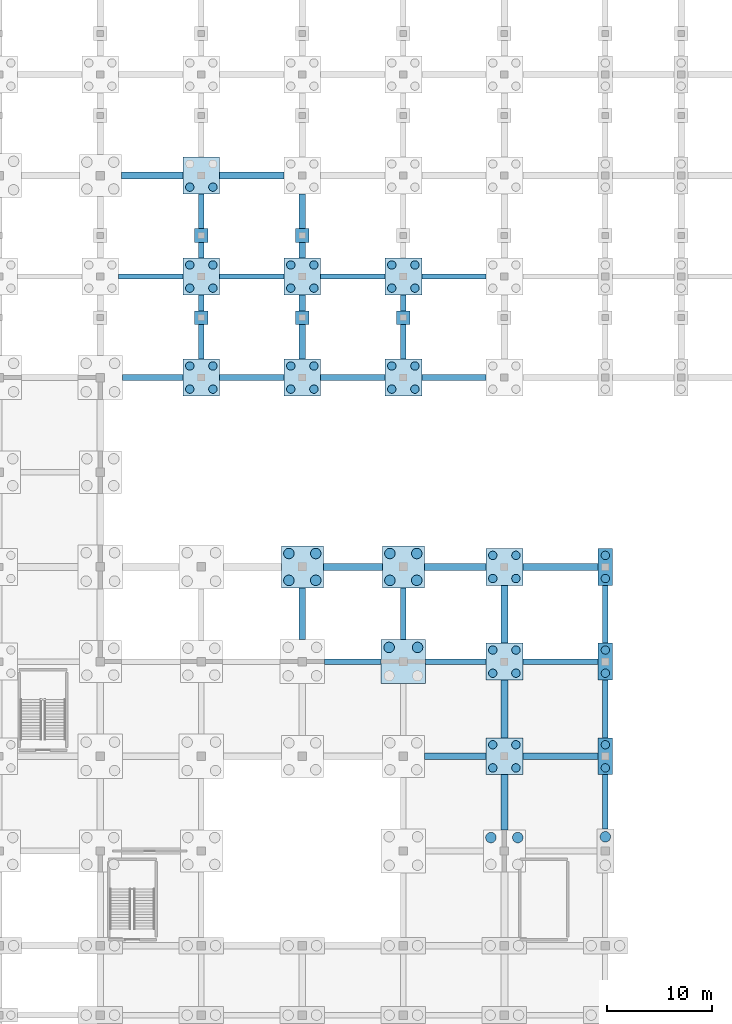
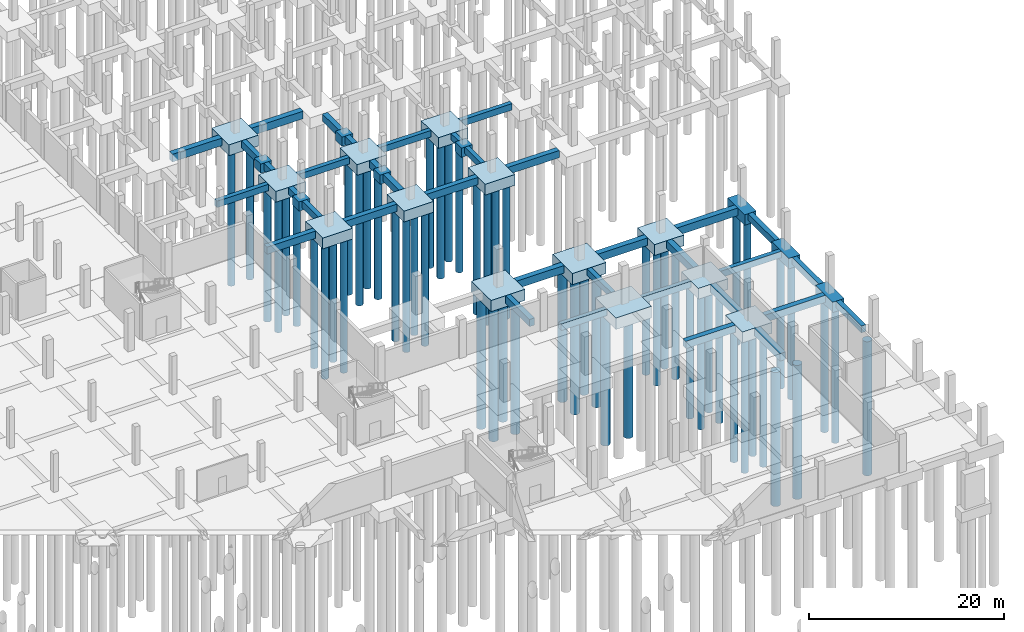
# One storey, part 13 of 39: 57 footings, 57 piles.
"""IFC4 building model written with IfcOpenShell, lengths in metres."""

from ifc_helpers import new_model, si_unit, direction, frame, origin, origin_2d, place, context, subcontext, project, spatial, polyline, rectangle, circle, outline, extrude, material, material_profile, profile_set, type_object, element, save


model = new_model("IFC4")

# Units and contexts
model_context = context("Model", 3, precision=1e-05, world=origin(), true_north=direction((0.0, 1.0)))
body_context = subcontext(model_context, "Body", "Model", "MODEL_VIEW")
ifc_project = project(units=[si_unit("LENGTHUNIT", "METRE"), si_unit("AREAUNIT", "SQUARE_METRE"), si_unit("VOLUMEUNIT", "CUBIC_METRE"), si_unit("PLANEANGLEUNIT", "RADIAN"), si_unit("MASSUNIT", "GRAM", prefix="KILO")], contexts=[model_context])

# Site, building, storey
site_placement = place(None, origin())
site = spatial("IfcSite", under=ifc_project, at=site_placement, CompositionType="ELEMENT")
building_placement = place(site_placement, origin())
building = spatial("IfcBuilding", under=site, at=building_placement, Name="Zarnetskaya Central Station", CompositionType="ELEMENT")
storey_placement = place(building_placement, frame((0.0, 0.0, -4.800048828125)))
storey = spatial("IfcBuildingStorey", under=building, at=storey_placement, Name="B1", CompositionType="ELEMENT", Elevation=-4.800048828125)

# Footings
ifc_material_1 = material(Name="Concrete C30/37", Category="concrete")
footing_type_1 = type_object("IfcFootingType", Name="FB-500x800", PredefinedType="FOOTING_BEAM", material=ifc_material_1)
footing_1_placement = place(storey_placement, frame((0.0, 0.0, -0.800048828125)))
element("IfcFooting", 1, at=footing_1_placement, inside=storey, type_object=footing_type_1, Name="Footing tie beam 6 R-S", PredefinedType="FOOTING_BEAM", context=body_context, shape_type="SweptSolid", body=[
    extrude(outline(polyline([(146.10009765625, 39.949951171875), (151.5, 39.949951171875), (151.5, 40.449951171875), (146.10009765625, 40.449951171875), (146.10009765625, 39.949951171875)])), origin(), (0.0, 0.0, 1.0), 0.800048828125),
])
footing_2_placement = place(storey_placement, frame((0.0, 0.0, -0.800048828125)))
element("IfcFooting", 2, at=footing_2_placement, inside=storey, type_object=footing_type_1, Name="Footing tie beam 6 S-T", PredefinedType="FOOTING_BEAM", context=body_context, shape_type="SweptSolid", body=[
    extrude(outline(polyline([(155.699951171875, 39.949951171875), (161.449951171875, 39.949951171875), (161.449951171875, 40.449951171875), (155.699951171875, 40.449951171875), (155.699951171875, 39.949951171875)])), origin(), (0.0, 0.0, 1.0), 0.800048828125),
])
footing_3_placement = place(storey_placement, frame((0.0, 0.0, -0.800048828125)))
element("IfcFooting", 3, at=footing_3_placement, inside=storey, type_object=footing_type_1, Name="Footing tie beam 6 T-U", PredefinedType="FOOTING_BEAM", context=body_context, shape_type="SweptSolid", body=[
    extrude(outline(polyline([(164.949951171875, 39.949951171875), (172.125, 39.949951171875), (172.125, 40.449951171875), (164.949951171875, 40.449951171875), (164.949951171875, 39.949951171875)])), origin(), (0.0, 0.0, 1.0), 0.800048828125),
])
footing_4_placement = place(storey_placement, frame((0.0, 0.0, -0.800048828125)))
element("IfcFooting", 4, at=footing_4_placement, inside=storey, type_object=footing_type_1, Name="Footing tie beam 10 P-Q", PredefinedType="FOOTING_BEAM", context=body_context, shape_type="SweptSolid", body=[
    extrude(outline(polyline([(126.550048828125, 76.550048828125), (132.64990234375, 76.550048828125), (132.64990234375, 77.050048828125), (126.550048828125, 77.050048828125), (126.550048828125, 76.550048828125)])), origin(), (0.0, 0.0, 1.0), 0.800048828125),
])
footing_5_placement = place(storey_placement, frame((0.0, 0.0, -0.800048828125)))
element("IfcFooting", 5, at=footing_5_placement, inside=storey, type_object=footing_type_1, Name="Footing tie beam 10 Q-R", PredefinedType="FOOTING_BEAM", context=body_context, shape_type="SweptSolid", body=[
    extrude(outline(polyline([(136.14990234375, 76.550048828125), (142.25, 76.550048828125), (142.25, 77.050048828125), (136.14990234375, 77.050048828125), (136.14990234375, 76.550048828125)])), origin(), (0.0, 0.0, 1.0), 0.800048828125),
])
footing_6_placement = place(storey_placement, frame((0.0, 0.0, -0.800048828125)))
element("IfcFooting", 6, at=footing_6_placement, inside=storey, type_object=footing_type_1, Name="Footing tie beam 10 R-S", PredefinedType="FOOTING_BEAM", context=body_context, shape_type="SweptSolid", body=[
    extrude(outline(polyline([(145.75, 76.550048828125), (151.85009765625, 76.550048828125), (151.85009765625, 77.050048828125), (145.75, 77.050048828125), (145.75, 76.550048828125)])), origin(), (0.0, 0.0, 1.0), 0.800048828125),
])
footing_7_placement = place(storey_placement, frame((0.0, 0.0, -0.800048828125)))
element("IfcFooting", 7, at=footing_7_placement, inside=storey, type_object=footing_type_1, Name="Footing tie beam 10 S-T", PredefinedType="FOOTING_BEAM", context=body_context, shape_type="SweptSolid", body=[
    extrude(outline(polyline([(155.35009765625, 76.550048828125), (161.449951171875, 76.550048828125), (161.449951171875, 77.050048828125), (155.35009765625, 77.050048828125), (155.35009765625, 76.550048828125)])), origin(), (0.0, 0.0, 1.0), 0.800048828125),
])
footing_8_placement = place(storey_placement, frame((0.0, 0.0, -0.800048828125)))
element("IfcFooting", 8, at=footing_8_placement, inside=storey, type_object=footing_type_1, Name="Footing tie beam S 6-7", PredefinedType="FOOTING_BEAM", context=body_context, shape_type="SweptSolid", body=[
    extrude(outline(polyline([(153.35009765625, 42.300048828125), (153.85009765625, 42.300048828125), (153.85009765625, 47.199951171875), (153.35009765625, 47.199951171875), (153.35009765625, 42.300048828125)])), origin(), (0.0, 0.0, 1.0), 0.800048828125),
])
footing_9_placement = place(storey_placement, frame((0.0, 0.0, -0.800048828125)))
element("IfcFooting", 9, at=footing_9_placement, inside=storey, type_object=footing_type_1, Name="Footing tie beam S 9-10 part 1", PredefinedType="FOOTING_BEAM", context=body_context, shape_type="SweptSolid", body=[
    extrude(outline(polyline([(153.35009765625, 68.949951171875), (153.85009765625, 68.949951171875), (153.85009765625, 72.25), (153.35009765625, 72.25), (153.35009765625, 68.949951171875)])), origin(), (0.0, 0.0, 1.0), 0.800048828125),
])
footing_10_placement = place(storey_placement, frame((0.0, 0.0, -0.800048828125)))
element("IfcFooting", 10, at=footing_10_placement, inside=storey, type_object=footing_type_1, Name="Footing tie beam S 9-10 part 2", PredefinedType="FOOTING_BEAM", context=body_context, shape_type="SweptSolid", body=[
    extrude(outline(polyline([(153.35009765625, 73.550048828125), (153.85009765625, 73.550048828125), (153.85009765625, 75.050048828125), (153.35009765625, 75.050048828125), (153.35009765625, 73.550048828125)])), origin(), (0.0, 0.0, 1.0), 0.800048828125),
])
footing_type_2 = type_object("IfcFootingType", Name="FB-550x850", PredefinedType="FOOTING_BEAM", material=ifc_material_1)
footing_11_placement = place(storey_placement, frame((0.0, 0.0, -0.849853515625)))
element("IfcFooting", 11, at=footing_11_placement, inside=storey, type_object=footing_type_2, Name="Footing tie beam Q 9-10 part 1", PredefinedType="FOOTING_BEAM", context=body_context, shape_type="SweptSolid", body=[
    extrude(outline(polyline([(134.125, 68.949951171875), (134.675048828125, 68.949951171875), (134.675048828125, 72.25), (134.125, 72.25), (134.125, 68.949951171875)])), origin(), (0.0, 0.0, 1.0), 0.849853515625),
])
footing_12_placement = place(storey_placement, frame((0.0, 0.0, -0.849853515625)))
element("IfcFooting", 12, at=footing_12_placement, inside=storey, type_object=footing_type_2, Name="Footing tie beam Q 9-10 part 2", PredefinedType="FOOTING_BEAM", context=body_context, shape_type="SweptSolid", body=[
    extrude(outline(polyline([(134.125, 73.550048828125), (134.675048828125, 73.550048828125), (134.675048828125, 75.050048828125), (134.125, 75.050048828125), (134.125, 73.550048828125)])), origin(), (0.0, 0.0, 1.0), 0.849853515625),
])
footing_13_placement = place(storey_placement, frame((0.0, 0.0, -0.849853515625)))
element("IfcFooting", 13, at=footing_13_placement, inside=storey, type_object=footing_type_2, Name="Footing tie beam Q 10-11 part 1", PredefinedType="FOOTING_BEAM", context=body_context, shape_type="SweptSolid", body=[
    extrude(outline(polyline([(134.125, 78.550048828125), (134.675048828125, 78.550048828125), (134.675048828125, 80.050048828125), (134.125, 80.050048828125), (134.125, 78.550048828125)])), origin(), (0.0, 0.0, 1.0), 0.849853515625),
])
footing_14_placement = place(storey_placement, frame((0.0, 0.0, -0.849853515625)))
element("IfcFooting", 14, at=footing_14_placement, inside=storey, type_object=footing_type_2, Name="Footing tie beam Q 10-11 part 2", PredefinedType="FOOTING_BEAM", context=body_context, shape_type="SweptSolid", body=[
    extrude(outline(polyline([(134.125, 81.35009765625), (134.675048828125, 81.35009765625), (134.675048828125, 84.64990234375), (134.125, 84.64990234375), (134.125, 81.35009765625)])), origin(), (0.0, 0.0, 1.0), 0.849853515625),
])
footing_15_placement = place(storey_placement, frame((0.0, 0.0, -0.849853515625)))
element("IfcFooting", 15, at=footing_15_placement, inside=storey, type_object=footing_type_2, Name="Footing tie beam U 4-5", PredefinedType="FOOTING_BEAM", context=body_context, shape_type="SweptSolid", body=[
    extrude(outline(polyline([(172.52490234375, 24.300048828125), (173.074951171875, 24.300048828125), (173.074951171875, 29.449951171875), (172.52490234375, 29.449951171875), (172.52490234375, 24.300048828125)])), origin(), (0.0, 0.0, 1.0), 0.849853515625),
])
footing_16_placement = place(storey_placement, frame((0.0, 0.0, -0.849853515625)))
element("IfcFooting", 16, at=footing_16_placement, inside=storey, type_object=footing_type_2, Name="Footing tie beam U 5-6", PredefinedType="FOOTING_BEAM", context=body_context, shape_type="SweptSolid", body=[
    extrude(outline(polyline([(172.52490234375, 32.949951171875), (173.074951171875, 32.949951171875), (173.074951171875, 38.449951171875), (172.52490234375, 38.449951171875), (172.52490234375, 32.949951171875)])), origin(), (0.0, 0.0, 1.0), 0.849853515625),
])
footing_17_placement = place(storey_placement, frame((0.0, 0.0, -0.849853515625)))
element("IfcFooting", 17, at=footing_17_placement, inside=storey, type_object=footing_type_2, Name="Footing tie beam U 6-7", PredefinedType="FOOTING_BEAM", context=body_context, shape_type="SweptSolid", body=[
    extrude(outline(polyline([(172.52490234375, 41.949951171875), (173.074951171875, 41.949951171875), (173.074951171875, 47.449951171875), (172.52490234375, 47.449951171875), (172.52490234375, 41.949951171875)])), origin(), (0.0, 0.0, 1.0), 0.849853515625),
])
footing_type_3 = type_object("IfcFootingType", Name="FB-600x900", PredefinedType="FOOTING_BEAM", material=ifc_material_1)
footing_18_placement = place(storey_placement, frame((0.0, 0.0, -0.89990234375)))
element("IfcFooting", 18, at=footing_18_placement, inside=storey, type_object=footing_type_3, Name="Footing tie beam 5 S-T", PredefinedType="FOOTING_BEAM", context=body_context, shape_type="SweptSolid", body=[
    extrude(outline(polyline([(155.60009765625, 30.89990234375), (161.449951171875, 30.89990234375), (161.449951171875, 31.5), (155.60009765625, 31.5), (155.60009765625, 30.89990234375)])), origin(), (0.0, 0.0, 1.0), 0.89990234375),
])
footing_19_placement = place(storey_placement, frame((0.0, 0.0, -0.89990234375)))
element("IfcFooting", 19, at=footing_19_placement, inside=storey, type_object=footing_type_3, Name="Footing tie beam 5 T-U", PredefinedType="FOOTING_BEAM", context=body_context, shape_type="SweptSolid", body=[
    extrude(outline(polyline([(164.949951171875, 30.89990234375), (172.125, 30.89990234375), (172.125, 31.5), (164.949951171875, 31.5), (164.949951171875, 30.89990234375)])), origin(), (0.0, 0.0, 1.0), 0.89990234375),
])
footing_20_placement = place(storey_placement, frame((0.0, 0.0, -0.89990234375)))
element("IfcFooting", 20, at=footing_20_placement, inside=storey, type_object=footing_type_3, Name="Footing tie beam 9 P-Q", PredefinedType="FOOTING_BEAM", context=body_context, shape_type="SweptSolid", body=[
    extrude(outline(polyline([(126.89990234375, 66.89990234375), (132.64990234375, 66.89990234375), (132.64990234375, 67.5), (126.89990234375, 67.5), (126.89990234375, 66.89990234375)])), origin(), (0.0, 0.0, 1.0), 0.89990234375),
])
footing_21_placement = place(storey_placement, frame((0.0, 0.0, -0.89990234375)))
element("IfcFooting", 21, at=footing_21_placement, inside=storey, type_object=footing_type_3, Name="Footing tie beam 9 Q-R", PredefinedType="FOOTING_BEAM", context=body_context, shape_type="SweptSolid", body=[
    extrude(outline(polyline([(136.14990234375, 66.89990234375), (142.25, 66.89990234375), (142.25, 67.5), (136.14990234375, 67.5), (136.14990234375, 66.89990234375)])), origin(), (0.0, 0.0, 1.0), 0.89990234375),
])
footing_22_placement = place(storey_placement, frame((0.0, 0.0, -0.89990234375)))
element("IfcFooting", 22, at=footing_22_placement, inside=storey, type_object=footing_type_3, Name="Footing tie beam 9 R-S", PredefinedType="FOOTING_BEAM", context=body_context, shape_type="SweptSolid", body=[
    extrude(outline(polyline([(145.75, 66.89990234375), (151.85009765625, 66.89990234375), (151.85009765625, 67.5), (145.75, 67.5), (145.75, 66.89990234375)])), origin(), (0.0, 0.0, 1.0), 0.89990234375),
])
footing_23_placement = place(storey_placement, frame((0.0, 0.0, -0.89990234375)))
element("IfcFooting", 23, at=footing_23_placement, inside=storey, type_object=footing_type_3, Name="Footing tie beam 9 S-T", PredefinedType="FOOTING_BEAM", context=body_context, shape_type="SweptSolid", body=[
    extrude(outline(polyline([(155.35009765625, 66.89990234375), (161.449951171875, 66.89990234375), (161.449951171875, 67.5), (155.35009765625, 67.5), (155.35009765625, 66.89990234375)])), origin(), (0.0, 0.0, 1.0), 0.89990234375),
])
footing_24_placement = place(storey_placement, frame((0.0, 0.0, -0.89990234375)))
element("IfcFooting", 24, at=footing_24_placement, inside=storey, type_object=footing_type_3, Name="Footing tie beam R 6-7", PredefinedType="FOOTING_BEAM", context=body_context, shape_type="SweptSolid", body=[
    extrude(outline(polyline([(143.699951171875, 42.300048828125), (144.300048828125, 42.300048828125), (144.300048828125, 47.199951171875), (143.699951171875, 47.199951171875), (143.699951171875, 42.300048828125)])), origin(), (0.0, 0.0, 1.0), 0.89990234375),
])
footing_25_placement = place(storey_placement, frame((0.0, 0.0, -0.89990234375)))
element("IfcFooting", 25, at=footing_25_placement, inside=storey, type_object=footing_type_3, Name="Footing tie beam R 9-10 part 1", PredefinedType="FOOTING_BEAM", context=body_context, shape_type="SweptSolid", body=[
    extrude(outline(polyline([(143.699951171875, 68.949951171875), (144.300048828125, 68.949951171875), (144.300048828125, 72.25), (143.699951171875, 72.25), (143.699951171875, 68.949951171875)])), origin(), (0.0, 0.0, 1.0), 0.89990234375),
])
footing_26_placement = place(storey_placement, frame((0.0, 0.0, -0.89990234375)))
element("IfcFooting", 26, at=footing_26_placement, inside=storey, type_object=footing_type_3, Name="Footing tie beam R 9-10 part 2", PredefinedType="FOOTING_BEAM", context=body_context, shape_type="SweptSolid", body=[
    extrude(outline(polyline([(143.699951171875, 73.550048828125), (144.300048828125, 73.550048828125), (144.300048828125, 75.050048828125), (143.699951171875, 75.050048828125), (143.699951171875, 73.550048828125)])), origin(), (0.0, 0.0, 1.0), 0.89990234375),
])
footing_27_placement = place(storey_placement, frame((0.0, 0.0, -0.89990234375)))
element("IfcFooting", 27, at=footing_27_placement, inside=storey, type_object=footing_type_3, Name="Footing tie beam R 10-11 part 1", PredefinedType="FOOTING_BEAM", context=body_context, shape_type="SweptSolid", body=[
    extrude(outline(polyline([(143.699951171875, 78.550048828125), (144.300048828125, 78.550048828125), (144.300048828125, 80.050048828125), (143.699951171875, 80.050048828125), (143.699951171875, 78.550048828125)])), origin(), (0.0, 0.0, 1.0), 0.89990234375),
])
footing_28_placement = place(storey_placement, frame((0.0, 0.0, -0.89990234375)))
element("IfcFooting", 28, at=footing_28_placement, inside=storey, type_object=footing_type_3, Name="Footing tie beam R 10-11 part 2", PredefinedType="FOOTING_BEAM", context=body_context, shape_type="SweptSolid", body=[
    extrude(outline(polyline([(143.699951171875, 81.35009765625), (144.300048828125, 81.35009765625), (144.300048828125, 84.64990234375), (143.699951171875, 84.64990234375), (143.699951171875, 81.35009765625)])), origin(), (0.0, 0.0, 1.0), 0.89990234375),
])
footing_type_4 = type_object("IfcFootingType", Name="FB-650x950", PredefinedType="FOOTING_BEAM", material=ifc_material_1)
footing_29_placement = place(storey_placement, frame((0.0, 0.0, -0.949951171875)))
element("IfcFooting", 29, at=footing_29_placement, inside=storey, type_object=footing_type_4, Name="Footing tie beam 7 R-S", PredefinedType="FOOTING_BEAM", context=body_context, shape_type="SweptSolid", body=[
    extrude(outline(polyline([(146.0, 48.875), (151.60009765625, 48.875), (151.60009765625, 49.52490234375), (146.0, 49.52490234375), (146.0, 48.875)])), origin(), (0.0, 0.0, 1.0), 0.949951171875),
])
footing_30_placement = place(storey_placement, frame((0.0, 0.0, -0.949951171875)))
element("IfcFooting", 30, at=footing_30_placement, inside=storey, type_object=footing_type_4, Name="Footing tie beam 7 S-T", PredefinedType="FOOTING_BEAM", context=body_context, shape_type="SweptSolid", body=[
    extrude(outline(polyline([(155.60009765625, 48.875), (161.449951171875, 48.875), (161.449951171875, 49.52490234375), (155.60009765625, 49.52490234375), (155.60009765625, 48.875)])), origin(), (0.0, 0.0, 1.0), 0.949951171875),
])
footing_31_placement = place(storey_placement, frame((0.0, 0.0, -0.949951171875)))
element("IfcFooting", 31, at=footing_31_placement, inside=storey, type_object=footing_type_4, Name="Footing tie beam 7 T-U", PredefinedType="FOOTING_BEAM", context=body_context, shape_type="SweptSolid", body=[
    extrude(outline(polyline([(164.949951171875, 48.875), (172.125, 48.875), (172.125, 49.52490234375), (164.949951171875, 49.52490234375), (164.949951171875, 48.875)])), origin(), (0.0, 0.0, 1.0), 0.949951171875),
])
footing_32_placement = place(storey_placement, frame((0.0, 0.0, -0.949951171875)))
element("IfcFooting", 32, at=footing_32_placement, inside=storey, type_object=footing_type_4, Name="Footing tie beam 11 P-Q", PredefinedType="FOOTING_BEAM", context=body_context, shape_type="SweptSolid", body=[
    extrude(outline(polyline([(126.800048828125, 86.074951171875), (132.64990234375, 86.074951171875), (132.64990234375, 86.72509765625), (126.800048828125, 86.72509765625), (126.800048828125, 86.074951171875)])), origin(), (0.0, 0.0, 1.0), 0.949951171875),
])
footing_33_placement = place(storey_placement, frame((0.0, 0.0, -0.949951171875)))
element("IfcFooting", 33, at=footing_33_placement, inside=storey, type_object=footing_type_4, Name="Footing tie beam 11 Q-R", PredefinedType="FOOTING_BEAM", context=body_context, shape_type="SweptSolid", body=[
    extrude(outline(polyline([(136.14990234375, 86.074951171875), (142.25, 86.074951171875), (142.25, 86.72509765625), (136.14990234375, 86.72509765625), (136.14990234375, 86.074951171875)])), origin(), (0.0, 0.0, 1.0), 0.949951171875),
])
footing_34_placement = place(storey_placement, frame((0.0, 0.0, -0.949951171875)))
element("IfcFooting", 34, at=footing_34_placement, inside=storey, type_object=footing_type_4, Name="Footing tie beam T 4-5", PredefinedType="FOOTING_BEAM", context=body_context, shape_type="SweptSolid", body=[
    extrude(outline(polyline([(162.875, 24.199951171875), (163.52490234375, 24.199951171875), (163.52490234375, 29.449951171875), (162.875, 29.449951171875), (162.875, 24.199951171875)])), origin(), (0.0, 0.0, 1.0), 0.949951171875),
])
footing_35_placement = place(storey_placement, frame((0.0, 0.0, -0.949951171875)))
element("IfcFooting", 35, at=footing_35_placement, inside=storey, type_object=footing_type_4, Name="Footing tie beam T 5-6", PredefinedType="FOOTING_BEAM", context=body_context, shape_type="SweptSolid", body=[
    extrude(outline(polyline([(162.875, 32.949951171875), (163.52490234375, 32.949951171875), (163.52490234375, 38.449951171875), (162.875, 38.449951171875), (162.875, 32.949951171875)])), origin(), (0.0, 0.0, 1.0), 0.949951171875),
])
footing_36_placement = place(storey_placement, frame((0.0, 0.0, -0.949951171875)))
element("IfcFooting", 36, at=footing_36_placement, inside=storey, type_object=footing_type_4, Name="Footing tie beam T 6-7", PredefinedType="FOOTING_BEAM", context=body_context, shape_type="SweptSolid", body=[
    extrude(outline(polyline([(162.875, 41.949951171875), (163.52490234375, 41.949951171875), (163.52490234375, 47.449951171875), (162.875, 47.449951171875), (162.875, 41.949951171875)])), origin(), (0.0, 0.0, 1.0), 0.949951171875),
])
ifc_material_2 = material(Name="Concrete C35/45", Category="concrete")
footing_type_5 = type_object("IfcFootingType", Name="PAD-PIER-130", PredefinedType="PAD_FOOTING", material=ifc_material_2)
for number, where, z_axis, x_axis, name in (
    (37, (134.39990234375, 72.89990234375, -1.14990234375), (0.0, 0.0, 1.0), (1.0, 0.0, 0.0), "Platform pier pad P1-QN"),
    (38, (144.0, 72.89990234375, -1.14990234375), (0.0, 0.0, 1.0), (1.0, 0.0, 0.0), "Platform pier pad P1-RN"),
    (39, (153.60009765625, 72.89990234375, -1.14990234375), (0.0, 0.0, 1.0), (1.0, 0.0, 0.0), "Platform pier pad P1-SN"),
    (40, (134.39990234375, 80.699951171875, -1.14990234375), (0.0, 0.0, 1.0), (1.0, 0.0, 0.0), "Platform pier pad P2-QS"),
    (41, (144.0, 80.699951171875, -1.14990234375), (0.0, 0.0, 1.0), (1.0, 0.0, 0.0), "Platform pier pad P2-RS"),
):
    element("IfcFooting", number, at=place(storey_placement, frame(where, z_axis=z_axis, x_axis=x_axis)), inside=storey, type_object=footing_type_5, Name=name, PredefinedType="PAD_FOOTING", context=body_context, shape_type="SweptSolid", body=[
        extrude(rectangle(XDim=1.300048828125, YDim=1.300048828125, at=origin_2d()), origin(), (0.0, 0.0, 1.0), 1.14990234375),
    ])
footing_type_6 = type_object("IfcFootingType", Name="PC-2P-800Y", PredefinedType="PILE_CAP", material=ifc_material_2)
for number, where, z_axis, x_axis, name in (
    (42, (172.800048828125, 31.199951171875, -1.2998046875), (0.0, 0.0, 1.0), (1.0, 0.0, 0.0), "Pile cap U5"),
    (43, (172.800048828125, 40.199951171875, -1.2998046875), (0.0, 0.0, 1.0), (1.0, 0.0, 0.0), "Pile cap U6"),
    (44, (172.800048828125, 49.199951171875, -1.2998046875), (0.0, 0.0, 1.0), (1.0, 0.0, 0.0), "Pile cap U7"),
):
    element("IfcFooting", number, at=place(storey_placement, frame(where, z_axis=z_axis, x_axis=x_axis)), inside=storey, type_object=footing_type_6, Name=name, PredefinedType="PILE_CAP", context=body_context, shape_type="SweptSolid", body=[
        extrude(rectangle(XDim=1.35009765625, YDim=3.5, at=origin_2d()), origin(), (0.0, 0.0, 1.0), 1.300048828125),
    ])
footing_type_7 = type_object("IfcFootingType", Name="PC-4P-1000A", PredefinedType="PILE_CAP", material=ifc_material_2)
footing_37_placement = place(storey_placement, frame((153.60009765625, 40.199951171875, -1.44970703125), z_axis=(0.0, 0.0, 1.0), x_axis=(1.0, 0.0, 0.0)))
element("IfcFooting", 45, at=footing_37_placement, inside=storey, type_object=footing_type_7, Name="Pile cap S6", PredefinedType="PILE_CAP", context=body_context, shape_type="SweptSolid", body=[
    extrude(rectangle(XDim=4.199951171875, YDim=4.199951171875, at=origin_2d()), origin(), (0.0, 0.0, 1.0), 1.449951171875),
])
footing_type_8 = type_object("IfcFootingType", Name="PC-4P-1000B", PredefinedType="PILE_CAP", material=ifc_material_2)
for number, where, z_axis, x_axis, name in (
    (46, (144.0, 49.199951171875, -1.39990234375), (0.0, 0.0, 1.0), (1.0, 0.0, 0.0), "Pile cap R7"),
    (47, (153.60009765625, 49.199951171875, -1.39990234375), (0.0, 0.0, 1.0), (1.0, 0.0, 0.0), "Pile cap S7"),
):
    element("IfcFooting", number, at=place(storey_placement, frame(where, z_axis=z_axis, x_axis=x_axis)), inside=storey, type_object=footing_type_8, Name=name, PredefinedType="PILE_CAP", context=body_context, shape_type="SweptSolid", body=[
        extrude(rectangle(XDim=4.0, YDim=4.0, at=origin_2d()), origin(), (0.0, 0.0, 1.0), 1.39990234375),
    ])
footing_type_9 = type_object("IfcFootingType", Name="PC-4P-800A", PredefinedType="PILE_CAP", material=ifc_material_2)
for number, where, z_axis, x_axis, name in (
    (48, (134.39990234375, 67.199951171875, -1.35009765625), (0.0, 0.0, 1.0), (1.0, 0.0, 0.0), "Pile cap Q9"),
    (49, (134.39990234375, 76.800048828125, -1.35009765625), (0.0, 0.0, 1.0), (1.0, 0.0, 0.0), "Pile cap Q10"),
    (50, (134.39990234375, 86.39990234375, -1.35009765625), (0.0, 0.0, 1.0), (1.0, 0.0, 0.0), "Pile cap Q11"),
    (51, (144.0, 67.199951171875, -1.35009765625), (0.0, 0.0, 1.0), (1.0, 0.0, 0.0), "Pile cap R9"),
    (52, (144.0, 76.800048828125, -1.35009765625), (0.0, 0.0, 1.0), (1.0, 0.0, 0.0), "Pile cap R10"),
    (53, (153.60009765625, 67.199951171875, -1.35009765625), (0.0, 0.0, 1.0), (1.0, 0.0, 0.0), "Pile cap S9"),
    (54, (153.60009765625, 76.800048828125, -1.35009765625), (0.0, 0.0, 1.0), (1.0, 0.0, 0.0), "Pile cap S10"),
    (55, (163.199951171875, 31.199951171875, -1.35009765625), (0.0, 0.0, 1.0), (1.0, 0.0, 0.0), "Pile cap T5"),
    (56, (163.199951171875, 40.199951171875, -1.35009765625), (0.0, 0.0, 1.0), (1.0, 0.0, 0.0), "Pile cap T6"),
    (57, (163.199951171875, 49.199951171875, -1.35009765625), (0.0, 0.0, 1.0), (1.0, 0.0, 0.0), "Pile cap T7"),
):
    element("IfcFooting", number, at=place(storey_placement, frame(where, z_axis=z_axis, x_axis=x_axis)), inside=storey, type_object=footing_type_9, Name=name, PredefinedType="PILE_CAP", context=body_context, shape_type="SweptSolid", body=[
        extrude(rectangle(XDim=3.5, YDim=3.5, at=origin_2d()), origin(), (0.0, 0.0, 1.0), 1.35009765625),
    ])

# Piles
ifc_material_profile_1 = material_profile(ifc_material_2, circle(Radius=0.5, at=origin_2d()), Name="BORED PILE D1000")
ifc_profile_set_1 = profile_set([ifc_material_profile_1], Name="Concrete C35/45")
pile_type_1 = type_object("IfcPileType", Name="PILE-D1000", PredefinedType="BORED", material=ifc_profile_set_1)
for number, where, z_axis, x_axis, name in (
    (58, (142.72509765625, 47.925048828125, -1.25), (0.0, 0.0, -1.0), (1.0, 0.0, 0.0), "Bored pile R7-11"),
    (59, (142.72509765625, 50.47509765625, -1.25), (0.0, 0.0, -1.0), (1.0, 0.0, 0.0), "Bored pile R7-12"),
    (60, (145.27490234375, 47.925048828125, -1.25), (0.0, 0.0, -1.0), (1.0, 0.0, 0.0), "Bored pile R7-21"),
    (61, (145.27490234375, 50.47509765625, -1.25), (0.0, 0.0, -1.0), (1.0, 0.0, 0.0), "Bored pile R7-22"),
):
    element("IfcPile", number, at=place(storey_placement, frame(where, z_axis=z_axis, x_axis=x_axis)), inside=storey, type_object=pile_type_1, Name=name, PredefinedType="BORED", context=body_context, shape_type="SweptSolid", body=[
        extrude(circle(Radius=0.5, at=origin_2d()), origin(), (0.0, 0.0, 1.0), 16.75),
    ])
for number, where, z_axis, x_axis, name in (
    (62, (152.25, 41.550048828125, -1.300048828125), (0.0, 0.0, -1.0), (1.0, 0.0, 0.0), "Bored pile S6-12"),
    (63, (154.949951171875, 41.550048828125, -1.300048828125), (0.0, 0.0, -1.0), (1.0, 0.0, 0.0), "Bored pile S6-22"),
):
    element("IfcPile", number, at=place(storey_placement, frame(where, z_axis=z_axis, x_axis=x_axis)), inside=storey, type_object=pile_type_1, Name=name, PredefinedType="BORED", context=body_context, shape_type="SweptSolid", body=[
        extrude(circle(Radius=0.5, at=origin_2d()), origin(), (0.0, 0.0, 1.0), 16.699951171875),
    ])
for number, where, z_axis, x_axis, name in (
    (64, (152.324951171875, 47.925048828125, -1.25), (0.0, 0.0, -1.0), (1.0, 0.0, 0.0), "Bored pile S7-11"),
    (65, (152.324951171875, 50.47509765625, -1.25), (0.0, 0.0, -1.0), (1.0, 0.0, 0.0), "Bored pile S7-12"),
    (66, (154.875, 47.925048828125, -1.25), (0.0, 0.0, -1.0), (1.0, 0.0, 0.0), "Bored pile S7-21"),
    (67, (154.875, 50.47509765625, -1.25), (0.0, 0.0, -1.0), (1.0, 0.0, 0.0), "Bored pile S7-22"),
    (68, (161.925048828125, 23.47509765625, -1.25), (0.0, 0.0, -1.0), (1.0, 0.0, 0.0), "Bored pile T4-12"),
    (69, (164.47509765625, 23.47509765625, -1.25), (0.0, 0.0, -1.0), (1.0, 0.0, 0.0), "Bored pile T4-22"),
    (70, (172.800048828125, 23.550048828125, -1.25), (0.0, 0.0, -1.0), (1.0, 0.0, 0.0), "Bored pile U4-12"),
):
    element("IfcPile", number, at=place(storey_placement, frame(where, z_axis=z_axis, x_axis=x_axis)), inside=storey, type_object=pile_type_1, Name=name, PredefinedType="BORED", context=body_context, shape_type="SweptSolid", body=[
        extrude(circle(Radius=0.5, at=origin_2d()), origin(), (0.0, 0.0, 1.0), 16.75),
    ])
ifc_material_profile_2 = material_profile(ifc_material_2, circle(Radius=0.39990234375, at=origin_2d()), Name="BORED PILE D800")
ifc_profile_set_2 = profile_set([ifc_material_profile_2], Name="Concrete C35/45")
pile_type_2 = type_object("IfcPileType", Name="PILE-D800", PredefinedType="BORED", material=ifc_profile_set_2)
for number, where, z_axis, x_axis, name in (
    (71, (133.300048828125, 66.10009765625, -1.199951171875), (0.0, 0.0, -1.0), (1.0, 0.0, 0.0), "Bored pile Q9-11"),
    (72, (133.300048828125, 68.300048828125, -1.199951171875), (0.0, 0.0, -1.0), (1.0, 0.0, 0.0), "Bored pile Q9-12"),
    (73, (135.5, 66.10009765625, -1.199951171875), (0.0, 0.0, -1.0), (1.0, 0.0, 0.0), "Bored pile Q9-21"),
    (74, (135.5, 68.300048828125, -1.199951171875), (0.0, 0.0, -1.0), (1.0, 0.0, 0.0), "Bored pile Q9-22"),
    (75, (133.300048828125, 75.699951171875, -1.199951171875), (0.0, 0.0, -1.0), (1.0, 0.0, 0.0), "Bored pile Q10-11"),
    (76, (133.300048828125, 77.89990234375, -1.199951171875), (0.0, 0.0, -1.0), (1.0, 0.0, 0.0), "Bored pile Q10-12"),
    (77, (135.5, 75.699951171875, -1.199951171875), (0.0, 0.0, -1.0), (1.0, 0.0, 0.0), "Bored pile Q10-21"),
    (78, (135.5, 77.89990234375, -1.199951171875), (0.0, 0.0, -1.0), (1.0, 0.0, 0.0), "Bored pile Q10-22"),
    (79, (133.300048828125, 85.300048828125, -1.199951171875), (0.0, 0.0, -1.0), (1.0, 0.0, 0.0), "Bored pile Q11-11"),
    (80, (135.5, 85.300048828125, -1.199951171875), (0.0, 0.0, -1.0), (1.0, 0.0, 0.0), "Bored pile Q11-21"),
    (81, (142.89990234375, 66.10009765625, -1.199951171875), (0.0, 0.0, -1.0), (1.0, 0.0, 0.0), "Bored pile R9-11"),
    (82, (142.89990234375, 68.300048828125, -1.199951171875), (0.0, 0.0, -1.0), (1.0, 0.0, 0.0), "Bored pile R9-12"),
    (83, (145.10009765625, 66.10009765625, -1.199951171875), (0.0, 0.0, -1.0), (1.0, 0.0, 0.0), "Bored pile R9-21"),
    (84, (145.10009765625, 68.300048828125, -1.199951171875), (0.0, 0.0, -1.0), (1.0, 0.0, 0.0), "Bored pile R9-22"),
    (85, (142.89990234375, 75.699951171875, -1.199951171875), (0.0, 0.0, -1.0), (1.0, 0.0, 0.0), "Bored pile R10-11"),
    (86, (142.89990234375, 77.89990234375, -1.199951171875), (0.0, 0.0, -1.0), (1.0, 0.0, 0.0), "Bored pile R10-12"),
    (87, (145.10009765625, 75.699951171875, -1.199951171875), (0.0, 0.0, -1.0), (1.0, 0.0, 0.0), "Bored pile R10-21"),
    (88, (145.10009765625, 77.89990234375, -1.199951171875), (0.0, 0.0, -1.0), (1.0, 0.0, 0.0), "Bored pile R10-22"),
    (89, (152.5, 66.10009765625, -1.199951171875), (0.0, 0.0, -1.0), (1.0, 0.0, 0.0), "Bored pile S9-11"),
    (90, (152.5, 68.300048828125, -1.199951171875), (0.0, 0.0, -1.0), (1.0, 0.0, 0.0), "Bored pile S9-12"),
    (91, (154.699951171875, 66.10009765625, -1.199951171875), (0.0, 0.0, -1.0), (1.0, 0.0, 0.0), "Bored pile S9-21"),
    (92, (154.699951171875, 68.300048828125, -1.199951171875), (0.0, 0.0, -1.0), (1.0, 0.0, 0.0), "Bored pile S9-22"),
    (93, (152.5, 75.699951171875, -1.199951171875), (0.0, 0.0, -1.0), (1.0, 0.0, 0.0), "Bored pile S10-11"),
    (94, (152.5, 77.89990234375, -1.199951171875), (0.0, 0.0, -1.0), (1.0, 0.0, 0.0), "Bored pile S10-12"),
    (95, (154.699951171875, 75.699951171875, -1.199951171875), (0.0, 0.0, -1.0), (1.0, 0.0, 0.0), "Bored pile S10-21"),
    (96, (154.699951171875, 77.89990234375, -1.199951171875), (0.0, 0.0, -1.0), (1.0, 0.0, 0.0), "Bored pile S10-22"),
    (97, (162.10009765625, 30.10009765625, -1.199951171875), (0.0, 0.0, -1.0), (1.0, 0.0, 0.0), "Bored pile T5-11"),
    (98, (162.10009765625, 32.300048828125, -1.199951171875), (0.0, 0.0, -1.0), (1.0, 0.0, 0.0), "Bored pile T5-12"),
    (99, (164.300048828125, 30.10009765625, -1.199951171875), (0.0, 0.0, -1.0), (1.0, 0.0, 0.0), "Bored pile T5-21"),
    (100, (164.300048828125, 32.300048828125, -1.199951171875), (0.0, 0.0, -1.0), (1.0, 0.0, 0.0), "Bored pile T5-22"),
    (101, (162.10009765625, 39.10009765625, -1.199951171875), (0.0, 0.0, -1.0), (1.0, 0.0, 0.0), "Bored pile T6-11"),
    (102, (162.10009765625, 41.300048828125, -1.199951171875), (0.0, 0.0, -1.0), (1.0, 0.0, 0.0), "Bored pile T6-12"),
    (103, (164.300048828125, 39.10009765625, -1.199951171875), (0.0, 0.0, -1.0), (1.0, 0.0, 0.0), "Bored pile T6-21"),
    (104, (164.300048828125, 41.300048828125, -1.199951171875), (0.0, 0.0, -1.0), (1.0, 0.0, 0.0), "Bored pile T6-22"),
    (105, (162.10009765625, 48.10009765625, -1.199951171875), (0.0, 0.0, -1.0), (1.0, 0.0, 0.0), "Bored pile T7-11"),
    (106, (162.10009765625, 50.300048828125, -1.199951171875), (0.0, 0.0, -1.0), (1.0, 0.0, 0.0), "Bored pile T7-12"),
    (107, (164.300048828125, 48.10009765625, -1.199951171875), (0.0, 0.0, -1.0), (1.0, 0.0, 0.0), "Bored pile T7-21"),
    (108, (164.300048828125, 50.300048828125, -1.199951171875), (0.0, 0.0, -1.0), (1.0, 0.0, 0.0), "Bored pile T7-22"),
):
    element("IfcPile", number, at=place(storey_placement, frame(where, z_axis=z_axis, x_axis=x_axis)), inside=storey, type_object=pile_type_2, Name=name, PredefinedType="BORED", context=body_context, shape_type="SweptSolid", body=[
        extrude(circle(Radius=0.39990234375, at=origin_2d()), origin(), (0.0, 0.0, 1.0), 16.800048828125),
    ])
for number, where, z_axis, x_axis, name in (
    (109, (172.800048828125, 30.10009765625, -1.14990234375), (0.0, 0.0, -1.0), (1.0, 0.0, 0.0), "Bored pile U5-11"),
    (110, (172.800048828125, 32.300048828125, -1.14990234375), (0.0, 0.0, -1.0), (1.0, 0.0, 0.0), "Bored pile U5-12"),
    (111, (172.800048828125, 39.10009765625, -1.14990234375), (0.0, 0.0, -1.0), (1.0, 0.0, 0.0), "Bored pile U6-11"),
    (112, (172.800048828125, 41.300048828125, -1.14990234375), (0.0, 0.0, -1.0), (1.0, 0.0, 0.0), "Bored pile U6-12"),
    (113, (172.800048828125, 48.10009765625, -1.14990234375), (0.0, 0.0, -1.0), (1.0, 0.0, 0.0), "Bored pile U7-11"),
    (114, (172.800048828125, 50.300048828125, -1.14990234375), (0.0, 0.0, -1.0), (1.0, 0.0, 0.0), "Bored pile U7-12"),
):
    element("IfcPile", number, at=place(storey_placement, frame(where, z_axis=z_axis, x_axis=x_axis)), inside=storey, type_object=pile_type_2, Name=name, PredefinedType="BORED", context=body_context, shape_type="SweptSolid", body=[
        extrude(circle(Radius=0.39990234375, at=origin_2d()), origin(), (0.0, 0.0, 1.0), 16.85009765625),
    ])

save(model, "model.ifc")
